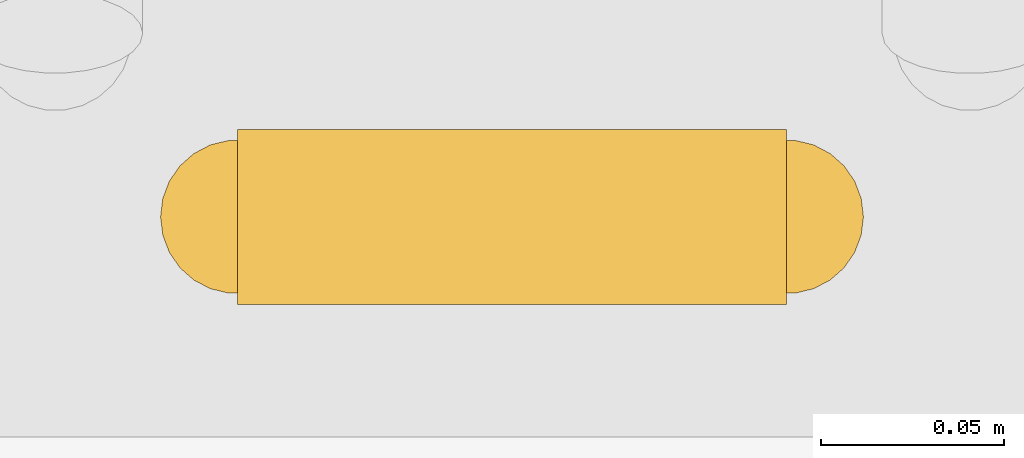
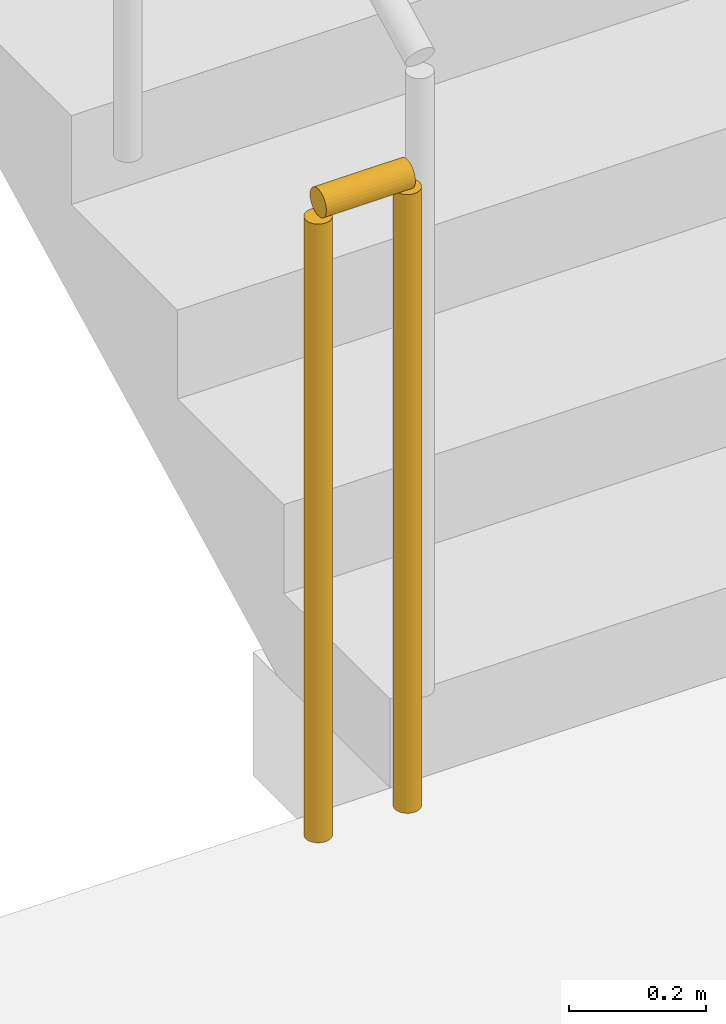
# One storey, part 13 of 18: 1 railing.
"""IFC4 building model written with IfcOpenShell, lengths in metres."""

from ifc_helpers import new_model, si_unit, direction, frame, origin, origin_2d, place, context, subcontext, project, spatial, circle, extrude, material, type_object, element, save


model = new_model("IFC4")

# Units and contexts
model_context = context("Model", 3, precision=1e-05, world=origin(), true_north=direction((0.0, 1.0)))
body_context = subcontext(model_context, "Body", "Model", "MODEL_VIEW")
ifc_project = project(units=[si_unit("LENGTHUNIT", "METRE"), si_unit("AREAUNIT", "SQUARE_METRE"), si_unit("VOLUMEUNIT", "CUBIC_METRE"), si_unit("PLANEANGLEUNIT", "RADIAN"), si_unit("MASSUNIT", "GRAM", prefix="KILO")], contexts=[model_context])

# Site, building, storey
site_placement = place(None, origin())
site = spatial("IfcSite", under=ifc_project, at=site_placement, CompositionType="ELEMENT")
building_placement = place(site_placement, origin())
building = spatial("IfcBuilding", under=site, at=building_placement, Name="Vaeldorn Concourse Tower", CompositionType="ELEMENT")
storey_placement = place(building_placement, frame((0.0, 0.0, 242.199951171875)))
storey = spatial("IfcBuildingStorey", under=building, at=storey_placement, Name="L62", CompositionType="ELEMENT", Elevation=242.199951171875)

# Railing
ifc_material = material(Name="Anodised Bronze Aluminium", Category="aluminium")
railing_type = type_object("IfcRailingType", Name="RL-STAIR-GUARD", PredefinedType="GUARDRAIL", material=ifc_material)
railing_placement = place(storey_placement, frame((16.800048828125, 41.550048828125, 0.0)))
element("IfcRailing", 1, at=railing_placement, inside=storey, type_object=railing_type, Name="L62 ST-1 stair guard 4", PredefinedType="GUARDRAIL", context=body_context, shape_type="SweptSolid", body=[
    extrude(circle(Radius=0.02392578125, at=origin_2d()), frame((0.0, 0.0, 1.1259765625), z_axis=(-1.0, 0.0, 0.0), x_axis=(0.0, -1.0, 0.0)), (0.0, 0.0, 1.0), 0.150146484375),
    extrude(circle(Radius=0.02099609375, at=origin_2d()), origin(), (0.0, 0.0, 1.0), 1.101806640625),
    extrude(circle(Radius=0.02099609375, at=origin_2d()), frame((-0.150146484375, 0.0, 0.0)), (0.0, 0.0, 1.0), 1.101806640625),
])

save(model, "model.ifc")
